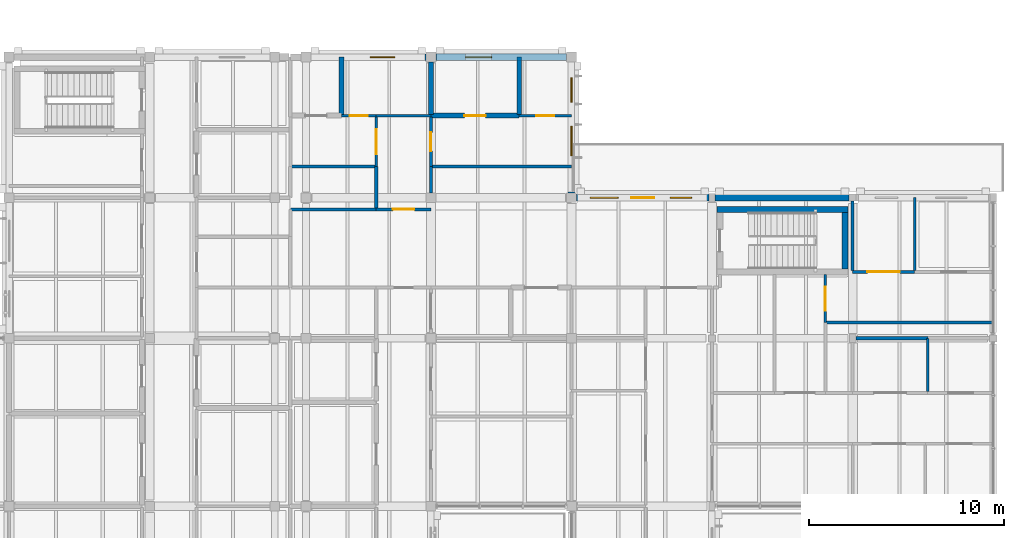
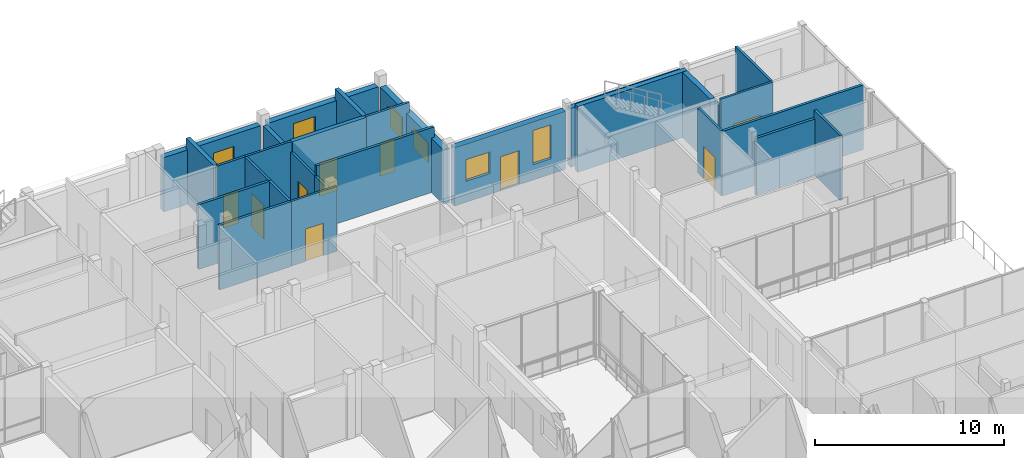
# One storey, part 122 of 146: 29 walls, 9 doors, 6 windows, 15 openings.
"""IFC4 building model written with IfcOpenShell, lengths in metres."""

from ifc_helpers import new_model, si_unit, direction, frame, frame_2d, origin, place, context, subcontext, project, spatial, rectangle, extrude, material, layer, layer_set, type_object, element, fill, save


model = new_model("IFC4")

# Units and contexts
model_context = context("Model", 3, precision=1e-05, world=origin(), true_north=direction((0.0, 1.0)))
body_context = subcontext(model_context, "Body", "Model", "MODEL_VIEW")
ifc_project = project(units=[si_unit("LENGTHUNIT", "METRE"), si_unit("AREAUNIT", "SQUARE_METRE"), si_unit("VOLUMEUNIT", "CUBIC_METRE"), si_unit("PLANEANGLEUNIT", "RADIAN"), si_unit("MASSUNIT", "GRAM", prefix="KILO")], contexts=[model_context])

# Site, building, storey
site_placement = place(None, origin())
site = spatial("IfcSite", under=ifc_project, at=site_placement, CompositionType="ELEMENT")
building_placement = place(site_placement, origin())
building = spatial("IfcBuilding", under=site, at=building_placement, Name="Hawrajan Terrace Health Centre", CompositionType="ELEMENT")
storey_placement = place(building_placement, frame((0.0, 0.0, 4.5)))
storey = spatial("IfcBuildingStorey", under=building, at=storey_placement, Name="L01", CompositionType="ELEMENT", Elevation=4.5)

# Wall, opening, door
ifc_material_1 = material(Name="Gypsum board on acoustic stud framing")
ifc_layer_1 = layer(ifc_material_1, 0.139892578125)
ifc_layer_set_1 = layer_set([ifc_layer_1], Name="Gypsum board on acoustic stud framing")
wall_type_1 = type_object("IfcWallType", Name="ClinicalAcousticWall_140", PredefinedType="PARTITIONING", material=ifc_layer_set_1)
wall_1_placement = place(storey_placement, frame((132.02392578125, 56.800048828125, 0.0), z_axis=(0.0, 0.0, 1.0), x_axis=(1.0, 0.0, 0.0)))
wall_1 = element("IfcWall", 1, at=wall_1_placement, inside=storey, type_object=wall_type_1, Name="Interior wall IW-L01-0756", PredefinedType="PARTITIONING", context=body_context, shape_type="SweptSolid", body=[
    extrude(rectangle(XDim=1.776123046875, YDim=0.139892578125, at=frame_2d((0.88818359375, 0.0))), origin(), (0.0, 0.0, 1.0), 4.179931640625),
])
opening_1_placement = place(wall_1_placement, frame((0.427978515625, 0.0, 0.0)))
opening_1 = element("IfcOpeningElement", 2, at=opening_1_placement, cuts=wall_1, Name="Opening D-L01-402", PredefinedType="OPENING", context=body_context, shape_type="SweptSolid", body=[
    extrude(rectangle(XDim=0.919921875, YDim=2.10009765625, at=frame_2d((0.4599609375, 1.050048828125))), frame((0.0, 0.079833984375, 0.0), z_axis=(0.0, -1.0, 0.0), x_axis=(1.0, 0.0, 0.0)), (0.0, 0.0, 1.0), 0.159912109375),
])
ifc_material_2 = material(Name="Hardwood acoustic clinical door leaf and frame", Category="wood")
door_type_1 = type_object("IfcDoorType", Name="StaffOfficeDoor_920x2100", OperationType="NOTDEFINED", PredefinedType="DOOR", material=ifc_material_2)
door_1_placement = place(opening_1_placement, origin())
door_1 = element("IfcDoor", 3, at=door_1_placement, inside=storey, type_object=door_type_1, Name="Interior door D-L01-402", OperationType="SINGLE_SWING_RIGHT", OverallHeight=2.10009765625, OverallWidth=0.919921875, PredefinedType="DOOR", context=body_context, shape_type="SweptSolid", body=[
    extrude(rectangle(XDim=0.919921875, YDim=2.10009765625, at=frame_2d((0.4599609375, 1.050048828125))), frame((0.0, 0.02490234375, 0.0), z_axis=(0.0, -1.0, 0.0), x_axis=(1.0, 0.0, 0.0)), (0.0, 0.0, 1.0), 0.050048828125),
])
fill(opening_1, door_1)

wall_2_placement = place(storey_placement, frame((133.800048828125, 52.0, 0.0), z_axis=(0.0, 0.0, 1.0), x_axis=(1.0, 0.0, 0.0)))
wall_2 = element("IfcWall", 4, at=wall_2_placement, inside=storey, type_object=wall_type_1, Name="Interior wall IW-L01-0770", PredefinedType="PARTITIONING", context=body_context, shape_type="SweptSolid", body=[
    extrude(rectangle(XDim=2.800048828125, YDim=0.139892578125, at=frame_2d((1.39990234375, 0.0))), origin(), (0.0, 0.0, 1.0), 4.179931640625),
])
opening_2_placement = place(wall_2_placement, frame((0.85009765625, 0.0, 0.0)))
opening_2 = element("IfcOpeningElement", 5, at=opening_2_placement, cuts=wall_2, Name="Opening D-L01-286", PredefinedType="OPENING", context=body_context, shape_type="SweptSolid", body=[
    extrude(rectangle(XDim=1.10009765625, YDim=2.10009765625, at=frame_2d((0.550048828125, 1.050048828125))), frame((0.0, 0.079833984375, 0.0), z_axis=(0.0, -1.0, 0.0), x_axis=(1.0, 0.0, 0.0)), (0.0, 0.0, 1.0), 0.159912109375),
])
door_type_2 = type_object("IfcDoorType", Name="ConsultDoor_1100x2100", OperationType="NOTDEFINED", PredefinedType="DOOR", material=ifc_material_2)
door_2_placement = place(opening_2_placement, origin())
door_2 = element("IfcDoor", 6, at=door_2_placement, inside=storey, type_object=door_type_2, Name="Interior door D-L01-286", OperationType="SINGLE_SWING_RIGHT", OverallHeight=2.10009765625, OverallWidth=1.10009765625, PredefinedType="DOOR", context=body_context, shape_type="SweptSolid", body=[
    extrude(rectangle(XDim=1.10009765625, YDim=2.10009765625, at=frame_2d((0.550048828125, 1.050048828125))), frame((0.0, 0.02490234375, 0.0), z_axis=(0.0, -1.0, 0.0), x_axis=(1.0, 0.0, 0.0)), (0.0, 0.0, 1.0), 0.050048828125),
])
fill(opening_2, door_2)

wall_3_placement = place(storey_placement, frame((133.800048828125, 54.199951171875, 0.0), z_axis=(0.0, 0.0, 1.0), x_axis=(0.0, 1.0, 0.0)))
wall_3 = element("IfcWall", 7, at=wall_3_placement, inside=storey, type_object=wall_type_1, Name="Interior wall IW-L01-0771", PredefinedType="PARTITIONING", context=body_context, shape_type="SweptSolid", body=[
    extrude(rectangle(XDim=2.530029296875, YDim=0.139892578125, at=frame_2d((1.26513671875, 0.0))), origin(), (0.0, 0.0, 1.0), 4.179931640625),
])
opening_3_placement = place(wall_3_placement, frame((0.625, 0.0, 0.0)))
opening_3 = element("IfcOpeningElement", 8, at=opening_3_placement, cuts=wall_3, Name="Opening D-L01-289", PredefinedType="OPENING", context=body_context, shape_type="SweptSolid", body=[
    extrude(rectangle(XDim=1.280029296875, YDim=2.199951171875, at=frame_2d((0.64013671875, 1.10009765625))), frame((0.0, 0.079833984375, 0.0), z_axis=(0.0, -1.0, 0.0), x_axis=(1.0, 0.0, 0.0)), (0.0, 0.0, 1.0), 0.159912109375),
])
door_type_3 = type_object("IfcDoorType", Name="ExamSuiteDoor_1280x2200", OperationType="NOTDEFINED", PredefinedType="DOOR", material=ifc_material_2)
door_3_placement = place(opening_3_placement, origin())
door_3 = element("IfcDoor", 9, at=door_3_placement, inside=storey, type_object=door_type_3, Name="Interior door D-L01-289", OperationType="SINGLE_SWING_LEFT", OverallHeight=2.199951171875, OverallWidth=1.280029296875, PredefinedType="DOOR", context=body_context, shape_type="SweptSolid", body=[
    extrude(rectangle(XDim=1.280029296875, YDim=2.199951171875, at=frame_2d((0.64013671875, 1.10009765625))), frame((0.0, 0.02490234375, 0.0), z_axis=(0.0, -1.0, 0.0), x_axis=(1.0, 0.0, 0.0)), (0.0, 0.0, 1.0), 0.050048828125),
])
fill(opening_3, door_3)

# Wall
wall_4_placement = place(storey_placement, frame((133.800048828125, 56.800048828125, 0.0), z_axis=(0.0, 0.0, 1.0), x_axis=(1.0, 0.0, 0.0)))
element("IfcWall", 10, at=wall_4_placement, inside=storey, type_object=wall_type_1, Name="Interior wall IW-L01-0772", PredefinedType="PARTITIONING", context=body_context, shape_type="SweptSolid", body=[
    extrude(rectangle(XDim=2.800048828125, YDim=0.139892578125, at=frame_2d((1.39990234375, 0.0))), origin(), (0.0, 0.0, 1.0), 4.179931640625),
])

# Wall, opening, door
wall_5_placement = place(storey_placement, frame((136.60009765625, 54.199951171875, 0.0), z_axis=(0.0, 0.0, 1.0), x_axis=(0.0, 1.0, 0.0)))
wall_5 = element("IfcWall", 11, at=wall_5_placement, inside=storey, type_object=wall_type_1, Name="Interior wall IW-L01-0783", PredefinedType="PARTITIONING", context=body_context, shape_type="SweptSolid", body=[
    extrude(rectangle(XDim=2.530029296875, YDim=0.139892578125, at=frame_2d((1.26513671875, 0.0))), origin(), (0.0, 0.0, 1.0), 3.52001953125),
])
opening_4_placement = place(wall_5_placement, frame((0.7900390625, 0.0, 0.0)))
opening_4 = element("IfcOpeningElement", 12, at=opening_4_placement, cuts=wall_5, Name="Opening D-L01-290", PredefinedType="OPENING", context=body_context, shape_type="SweptSolid", body=[
    extrude(rectangle(XDim=0.949951171875, YDim=2.10009765625, at=frame_2d((0.47509765625, 1.050048828125))), frame((0.0, 0.079833984375, 0.0), z_axis=(0.0, -1.0, 0.0), x_axis=(1.0, 0.0, 0.0)), (0.0, 0.0, 1.0), 0.159912109375),
])
door_type_4 = type_object("IfcDoorType", Name="AccessibleWCDoor_950x2100", OperationType="NOTDEFINED", PredefinedType="DOOR", material=ifc_material_2)
door_4_placement = place(opening_4_placement, origin())
door_4 = element("IfcDoor", 13, at=door_4_placement, inside=storey, type_object=door_type_4, Name="Interior door D-L01-290", OperationType="SINGLE_SWING_RIGHT", OverallHeight=2.10009765625, OverallWidth=0.949951171875, PredefinedType="DOOR", context=body_context, shape_type="SweptSolid", body=[
    extrude(rectangle(XDim=0.949951171875, YDim=2.10009765625, at=frame_2d((0.47509765625, 1.050048828125))), frame((0.0, 0.02490234375, 0.0), z_axis=(0.0, -1.0, 0.0), x_axis=(1.0, 0.0, 0.0)), (0.0, 0.0, 1.0), 0.050048828125),
])
fill(opening_4, door_4)

wall_6_placement = place(storey_placement, frame((141.1220703125, 56.800048828125, 0.0), z_axis=(0.0, 0.0, 1.0), x_axis=(1.0, 0.0, 0.0)))
wall_6 = element("IfcWall", 14, at=wall_6_placement, inside=storey, type_object=wall_type_1, Name="Interior wall IW-L01-0793", PredefinedType="PARTITIONING", context=body_context, shape_type="SweptSolid", body=[
    extrude(rectangle(XDim=2.677978515625, YDim=0.139892578125, at=frame_2d((1.3388671875, 0.0))), origin(), (0.0, 0.0, 1.0), 4.179931640625),
])
opening_5_placement = place(wall_6_placement, frame((0.87890625, 0.0, 0.0)))
opening_5 = element("IfcOpeningElement", 15, at=opening_5_placement, cuts=wall_6, Name="Opening D-L01-412", PredefinedType="OPENING", context=body_context, shape_type="SweptSolid", body=[
    extrude(rectangle(XDim=0.919921875, YDim=2.10009765625, at=frame_2d((0.4599609375, 1.050048828125))), frame((0.0, 0.079833984375, 0.0), z_axis=(0.0, -1.0, 0.0), x_axis=(1.0, 0.0, 0.0)), (0.0, 0.0, 1.0), 0.159912109375),
])
door_5_placement = place(opening_5_placement, origin())
door_5 = element("IfcDoor", 16, at=door_5_placement, inside=storey, type_object=door_type_1, Name="Interior door D-L01-412", OperationType="SINGLE_SWING_RIGHT", OverallHeight=2.10009765625, OverallWidth=0.919921875, PredefinedType="DOOR", context=body_context, shape_type="SweptSolid", body=[
    extrude(rectangle(XDim=0.919921875, YDim=2.10009765625, at=frame_2d((0.4599609375, 1.050048828125))), frame((0.0, 0.02490234375, 0.0), z_axis=(0.0, -1.0, 0.0), x_axis=(1.0, 0.0, 0.0)), (0.0, 0.0, 1.0), 0.050048828125),
])
fill(opening_5, door_5)

wall_7_placement = place(storey_placement, frame((156.800048828125, 46.199951171875, 0.0), z_axis=(0.0, 0.0, 1.0), x_axis=(0.0, 1.0, 0.0)))
wall_7 = element("IfcWall", 17, at=wall_7_placement, inside=storey, type_object=wall_type_1, Name="Interior wall IW-L01-0824", PredefinedType="PARTITIONING", context=body_context, shape_type="SweptSolid", body=[
    extrude(rectangle(XDim=2.4599609375, YDim=0.139892578125, at=frame_2d((1.22998046875, 0.0))), origin(), (0.0, 0.0, 1.0), 4.179931640625),
])
opening_6_placement = place(wall_7_placement, frame((0.6201171875, 0.0, 0.0)))
opening_6 = element("IfcOpeningElement", 18, at=opening_6_placement, cuts=wall_7, Name="Opening D-L01-284", PredefinedType="OPENING", context=body_context, shape_type="SweptSolid", body=[
    extrude(rectangle(XDim=1.219970703125, YDim=2.10009765625, at=frame_2d((0.60986328125, 1.050048828125))), frame((0.0, 0.079833984375, 0.0), z_axis=(0.0, -1.0, 0.0), x_axis=(1.0, 0.0, 0.0)), (0.0, 0.0, 1.0), 0.159912109375),
])
door_type_5 = type_object("IfcDoorType", Name="ConsultDoor_1220x2100", OperationType="NOTDEFINED", PredefinedType="DOOR", material=ifc_material_2)
door_6_placement = place(opening_6_placement, origin())
door_6 = element("IfcDoor", 19, at=door_6_placement, inside=storey, type_object=door_type_5, Name="Interior door D-L01-284", OperationType="SINGLE_SWING_RIGHT", OverallHeight=2.10009765625, OverallWidth=1.219970703125, PredefinedType="DOOR", context=body_context, shape_type="SweptSolid", body=[
    extrude(rectangle(XDim=1.219970703125, YDim=2.10009765625, at=frame_2d((0.60986328125, 1.050048828125))), frame((0.0, 0.02490234375, 0.0), z_axis=(0.0, -1.0, 0.0), x_axis=(1.0, 0.0, 0.0)), (0.0, 0.0, 1.0), 0.050048828125),
])
fill(opening_6, door_6)

wall_8_placement = place(storey_placement, frame((158.199951171875, 48.800048828125, 0.0), z_axis=(0.0, 0.0, 1.0), x_axis=(1.0, 0.0, 0.0)))
wall_8 = element("IfcWall", 20, at=wall_8_placement, inside=storey, type_object=wall_type_1, Name="Interior wall IW-L01-0832", PredefinedType="PARTITIONING", context=body_context, shape_type="SweptSolid", body=[
    extrude(rectangle(XDim=3.175048828125, YDim=0.139892578125, at=frame_2d((1.58740234375, 0.0))), origin(), (0.0, 0.0, 1.0), 4.179931640625),
])
opening_7_placement = place(wall_8_placement, frame((0.757568359375, 0.0, 0.0)))
opening_7 = element("IfcOpeningElement", 21, at=opening_7_placement, cuts=wall_8, Name="Opening D-L01-428", PredefinedType="OPENING", context=body_context, shape_type="SweptSolid", body=[
    extrude(rectangle(XDim=1.659912109375, YDim=2.300048828125, at=frame_2d((0.830078125, 1.14990234375))), frame((0.0, 0.079833984375, 0.0), z_axis=(0.0, -1.0, 0.0), x_axis=(1.0, 0.0, 0.0)), (0.0, 0.0, 1.0), 0.159912109375),
])
door_type_6 = type_object("IfcDoorType", Name="RehabGymDoor_1660x2300", OperationType="DOUBLE_DOOR_SINGLE_SWING", PredefinedType="DOOR", material=ifc_material_2)
door_7_placement = place(opening_7_placement, origin())
door_7 = element("IfcDoor", 22, at=door_7_placement, inside=storey, type_object=door_type_6, Name="Interior door D-L01-428", OperationType="DOUBLE_DOOR_SINGLE_SWING", OverallHeight=2.300048828125, OverallWidth=1.659912109375, PredefinedType="DOOR", context=body_context, shape_type="SweptSolid", body=[
    extrude(rectangle(XDim=1.659912109375, YDim=2.300048828125, at=frame_2d((0.830078125, 1.14990234375))), frame((0.0, 0.02490234375, 0.0), z_axis=(0.0, -1.0, 0.0), x_axis=(1.0, 0.0, 0.0)), (0.0, 0.0, 1.0), 0.050048828125),
])
fill(opening_7, door_7)

# Walls
wall_9_placement = place(storey_placement, frame((161.375, 48.8701171875, 0.0), z_axis=(0.0, 0.0, 1.0), x_axis=(0.0, 1.0, 0.0)))
element("IfcWall", 23, at=wall_9_placement, inside=storey, type_object=wall_type_1, Name="Interior wall IW-L01-0835", PredefinedType="PARTITIONING", context=body_context, shape_type="SweptSolid", body=[
    extrude(rectangle(XDim=3.72998046875, YDim=0.139892578125, at=frame_2d((1.864990234375, 0.0))), origin(), (0.0, 0.0, 1.0), 4.179931640625),
])
wall_10_placement = place(storey_placement, frame((162.044921875, 42.669921875, 0.0), z_axis=(0.0, 0.0, 1.0), x_axis=(0.0, 1.0, 0.0)))
element("IfcWall", 24, at=wall_10_placement, inside=storey, type_object=wall_type_1, Name="Interior wall IW-L01-0839", PredefinedType="PARTITIONING", context=body_context, shape_type="SweptSolid", body=[
    extrude(rectangle(XDim=2.72998046875, YDim=0.139892578125, at=frame_2d((1.364990234375, 0.0))), origin(), (0.0, 0.0, 1.0), 4.179931640625),
])

# Wall, opening, window
ifc_material_3 = material(Name="Precast concrete C40/50", Category="concrete")
ifc_layer_2 = layer(ifc_material_3, 0.340087890625)
ifc_layer_set_2 = layer_set([ifc_layer_2], Name="Precast concrete C40/50")
wall_type_2 = type_object("IfcWallType", Name="CoralAshlarWall_340", PredefinedType="SOLIDWALL", material=ifc_layer_set_2)
wall_11_placement = place(storey_placement, frame((130.449951171875, 59.800048828125, 0.0), z_axis=(0.0, 0.0, 1.0), x_axis=(1.0, 0.0, 0.0)))
wall_11 = element("IfcWall", 25, at=wall_11_placement, inside=storey, type_object=wall_type_2, Name="Exterior wall EW-L01-H16-07-2", PredefinedType="SOLIDWALL", context=body_context, shape_type="SweptSolid", body=[
    extrude(rectangle(XDim=5.900146484375, YDim=0.340087890625, at=frame_2d((2.9501953125, 0.0))), origin(), (0.0, 0.0, 1.0), 3.52001953125),
])
opening_8_placement = place(wall_11_placement, frame((3.052001953125, 0.0, 1.35009765625)))
opening_8 = element("IfcOpeningElement", 26, at=opening_8_placement, cuts=wall_11, Name="Opening W-L01-094", PredefinedType="OPENING", context=body_context, shape_type="SweptSolid", body=[
    extrude(rectangle(XDim=1.25, YDim=1.39990234375, at=frame_2d((0.625, 0.699951171875))), frame((0.0, 0.179931640625, 0.0), z_axis=(0.0, -1.0, 0.0), x_axis=(1.0, 0.0, 0.0)), (0.0, 0.0, 1.0), 0.360107421875),
])
ifc_material_4 = material(Name="Anodized bronze frame with double low-E glazing", Category="glass")
window_type_1 = type_object("IfcWindowType", Name="FacadeWindow_1250x1400", PartitioningType="SINGLE_PANEL", PredefinedType="WINDOW", material=ifc_material_4)
window_1_placement = place(opening_8_placement, origin())
window_1 = element("IfcWindow", 27, at=window_1_placement, inside=storey, type_object=window_type_1, Name="Window W-L01-094", OverallHeight=1.39990234375, OverallWidth=1.25, PartitioningType="SINGLE_PANEL", PredefinedType="WINDOW", context=body_context, shape_type="SweptSolid", body=[
    extrude(rectangle(XDim=1.25, YDim=1.39990234375, at=frame_2d((0.625, 0.699951171875))), frame((0.0, 0.030029296875, 0.0), z_axis=(0.0, -1.0, 0.0), x_axis=(1.0, 0.0, 0.0)), (0.0, 0.0, 1.0), 0.06005859375),
])
fill(opening_8, window_1)

# Wall
wall_12_placement = place(storey_placement, frame((151.159912109375, 52.60009765625, 0.0), z_axis=(0.0, 0.0, 1.0), x_axis=(1.0, 0.0, 0.0)))
element("IfcWall", 28, at=wall_12_placement, inside=storey, type_object=wall_type_2, Name="Exterior wall EW-L01-H19-06-1", PredefinedType="SOLIDWALL", context=body_context, shape_type="SweptSolid", body=[
    extrude(rectangle(XDim=6.860107421875, YDim=0.340087890625, at=frame_2d((3.43017578125, 0.0))), origin(), (0.0, 0.0, 1.0), 3.800048828125),
])

# Wall, opening, window
ifc_layer_3 = layer(ifc_material_3, 0.360107421875)
ifc_layer_set_3 = layer_set([ifc_layer_3], Name="Precast concrete C40/50")
wall_type_3 = type_object("IfcWallType", Name="CoralPodiumWall_360", PredefinedType="SOLIDWALL", material=ifc_layer_set_3)
wall_13_placement = place(storey_placement, frame((136.85009765625, 59.800048828125, 0.0), z_axis=(0.0, 0.0, 1.0), x_axis=(1.0, 0.0, 0.0)))
wall_13 = element("IfcWall", 29, at=wall_13_placement, inside=storey, type_object=wall_type_3, Name="Exterior wall EW-L01-H17-07-1", PredefinedType="SOLIDWALL", context=body_context, shape_type="SweptSolid", body=[
    extrude(rectangle(XDim=6.699951171875, YDim=0.360107421875, at=frame_2d((3.35009765625, 0.0))), origin(), (0.0, 0.0, 1.0), 3.52001953125),
])
opening_9_placement = place(wall_13_placement, frame((1.52587890625, 0.0, 1.0)))
opening_9 = element("IfcOpeningElement", 30, at=opening_9_placement, cuts=wall_13, Name="Opening W-L01-099", PredefinedType="OPENING", context=body_context, shape_type="SweptSolid", body=[
    extrude(rectangle(XDim=1.340087890625, YDim=1.949951171875, at=frame_2d((0.669921875, 0.97509765625))), frame((0.0, 0.18994140625, 0.0), z_axis=(0.0, -1.0, 0.0), x_axis=(1.0, 0.0, 0.0)), (0.0, 0.0, 1.0), 0.380126953125),
])
window_type_2 = type_object("IfcWindowType", Name="FacadeWindow_1340x1950", PartitioningType="SINGLE_PANEL", PredefinedType="WINDOW", material=ifc_material_4)
window_2_placement = place(opening_9_placement, origin())
window_2 = element("IfcWindow", 31, at=window_2_placement, inside=storey, type_object=window_type_2, Name="Window W-L01-099", OverallHeight=1.949951171875, OverallWidth=1.340087890625, PartitioningType="SINGLE_PANEL", PredefinedType="WINDOW", context=body_context, shape_type="SweptSolid", body=[
    extrude(rectangle(XDim=1.340087890625, YDim=1.949951171875, at=frame_2d((0.669921875, 0.97509765625))), frame((0.0, 0.030029296875, 0.0), z_axis=(0.0, -1.0, 0.0), x_axis=(1.0, 0.0, 0.0)), (0.0, 0.0, 1.0), 0.06005859375),
])
fill(opening_9, window_2)

# Wall, openings, windows
wall_14_placement = place(storey_placement, frame((143.800048828125, 52.85009765625, 0.0), z_axis=(0.0, 0.0, 1.0), x_axis=(0.0, 1.0, 0.0)))
wall_14 = element("IfcWall", 32, at=wall_14_placement, inside=storey, type_object=wall_type_3, Name="Exterior wall EW-L01-V18-06-1", PredefinedType="SOLIDWALL", context=body_context, shape_type="SweptSolid", body=[
    extrude(rectangle(XDim=6.699951171875, YDim=0.360107421875, at=frame_2d((3.35009765625, 0.0))), origin(), (0.0, 0.0, 1.0), 3.52001953125),
])
opening_10_placement = place(wall_14_placement, frame((1.89990234375, 0.0, 1.5)))
opening_10 = element("IfcOpeningElement", 33, at=opening_10_placement, cuts=wall_14, Name="Opening W-L01-100", PredefinedType="OPENING", context=body_context, shape_type="SweptSolid", body=[
    extrude(rectangle(XDim=1.5, YDim=1.25, at=frame_2d((0.75, 0.625))), frame((0.0, 0.18994140625, 0.0), z_axis=(0.0, -1.0, 0.0), x_axis=(1.0, 0.0, 0.0)), (0.0, 0.0, 1.0), 0.380126953125),
])
opening_11_placement = place(wall_14_placement, frame((4.639892578125, 0.0, 1.35009765625)))
opening_11 = element("IfcOpeningElement", 34, at=opening_11_placement, cuts=wall_14, Name="Opening W-L01-101", PredefinedType="OPENING", context=body_context, shape_type="SweptSolid", body=[
    extrude(rectangle(XDim=1.25, YDim=1.39990234375, at=frame_2d((0.625, 0.699951171875))), frame((0.0, 0.18994140625, 0.0), z_axis=(0.0, -1.0, 0.0), x_axis=(1.0, 0.0, 0.0)), (0.0, 0.0, 1.0), 0.380126953125),
])
window_3_placement = place(opening_11_placement, origin())
window_3 = element("IfcWindow", 35, at=window_3_placement, inside=storey, type_object=window_type_1, Name="Window W-L01-101", OverallHeight=1.39990234375, OverallWidth=1.25, PartitioningType="SINGLE_PANEL", PredefinedType="WINDOW", context=body_context, shape_type="SweptSolid", body=[
    extrude(rectangle(XDim=1.25, YDim=1.39990234375, at=frame_2d((0.625, 0.699951171875))), frame((0.0, 0.030029296875, 0.0), z_axis=(0.0, -1.0, 0.0), x_axis=(1.0, 0.0, 0.0)), (0.0, 0.0, 1.0), 0.06005859375),
])
fill(opening_11, window_3)
window_type_3 = type_object("IfcWindowType", Name="FacadeWindow_1500x1250", PartitioningType="DOUBLE_PANEL_VERTICAL", PredefinedType="WINDOW", material=ifc_material_4)
window_4_placement = place(opening_10_placement, origin())
window_4 = element("IfcWindow", 36, at=window_4_placement, inside=storey, type_object=window_type_3, Name="Window W-L01-100", OverallHeight=1.25, OverallWidth=1.5, PartitioningType="DOUBLE_PANEL_VERTICAL", PredefinedType="WINDOW", context=body_context, shape_type="SweptSolid", body=[
    extrude(rectangle(XDim=1.5, YDim=1.25, at=frame_2d((0.75, 0.625))), frame((0.0, 0.030029296875, 0.0), z_axis=(0.0, -1.0, 0.0), x_axis=(1.0, 0.0, 0.0)), (0.0, 0.0, 1.0), 0.06005859375),
])
fill(opening_10, window_4)

# Wall, openings, windows, door
wall_15_placement = place(storey_placement, frame((144.050048828125, 52.60009765625, 0.0), z_axis=(0.0, 0.0, 1.0), x_axis=(1.0, 0.0, 0.0)))
wall_15 = element("IfcWall", 37, at=wall_15_placement, inside=storey, type_object=wall_type_3, Name="Exterior wall EW-L01-H18-06-1", PredefinedType="SOLIDWALL", context=body_context, shape_type="SweptSolid", body=[
    extrude(rectangle(XDim=6.7900390625, YDim=0.360107421875, at=frame_2d((3.39501953125, 0.0))), origin(), (0.0, 0.0, 1.0), 3.760009765625),
])
opening_12_placement = place(wall_15_placement, frame((2.804931640625, 0.0, 0.0)))
opening_12 = element("IfcOpeningElement", 38, at=opening_12_placement, cuts=wall_15, Name="Opening D-L01-E018", PredefinedType="OPENING", context=body_context, shape_type="SweptSolid", body=[
    extrude(rectangle(XDim=1.179931640625, YDim=2.199951171875, at=frame_2d((0.58984375, 1.10009765625))), frame((0.0, 0.18994140625, 0.0), z_axis=(0.0, -1.0, 0.0), x_axis=(1.0, 0.0, 0.0)), (0.0, 0.0, 1.0), 0.380126953125),
])
opening_13_placement = place(wall_15_placement, frame((0.70751953125, 0.0, 1.35009765625)))
opening_13 = element("IfcOpeningElement", 39, at=opening_13_placement, cuts=wall_15, Name="Opening W-L01-105", PredefinedType="OPENING", context=body_context, shape_type="SweptSolid", body=[
    extrude(rectangle(XDim=1.449951171875, YDim=1.39990234375, at=frame_2d((0.72509765625, 0.699951171875))), frame((0.0, 0.18994140625, 0.0), z_axis=(0.0, -1.0, 0.0), x_axis=(1.0, 0.0, 0.0)), (0.0, 0.0, 1.0), 0.380126953125),
])
opening_14_placement = place(wall_15_placement, frame((4.8076171875, 0.0, 1.0)))
opening_14 = element("IfcOpeningElement", 40, at=opening_14_placement, cuts=wall_15, Name="Opening W-L01-106", PredefinedType="OPENING", context=body_context, shape_type="SweptSolid", body=[
    extrude(rectangle(XDim=1.10009765625, YDim=2.199951171875, at=frame_2d((0.550048828125, 1.10009765625))), frame((0.0, 0.18994140625, 0.0), z_axis=(0.0, -1.0, 0.0), x_axis=(1.0, 0.0, 0.0)), (0.0, 0.0, 1.0), 0.380126953125),
])
window_type_4 = type_object("IfcWindowType", Name="FacadeWindow_1100x2200", PartitioningType="SINGLE_PANEL", PredefinedType="WINDOW", material=ifc_material_4)
window_5_placement = place(opening_14_placement, origin())
window_5 = element("IfcWindow", 41, at=window_5_placement, inside=storey, type_object=window_type_4, Name="Window W-L01-106", OverallHeight=2.199951171875, OverallWidth=1.10009765625, PartitioningType="SINGLE_PANEL", PredefinedType="WINDOW", context=body_context, shape_type="SweptSolid", body=[
    extrude(rectangle(XDim=1.10009765625, YDim=2.199951171875, at=frame_2d((0.550048828125, 1.10009765625))), frame((0.0, 0.030029296875, 0.0), z_axis=(0.0, -1.0, 0.0), x_axis=(1.0, 0.0, 0.0)), (0.0, 0.0, 1.0), 0.06005859375),
])
fill(opening_14, window_5)
window_type_5 = type_object("IfcWindowType", Name="FacadeWindow_1450x1400", PartitioningType="SINGLE_PANEL", PredefinedType="WINDOW", material=ifc_material_4)
window_6_placement = place(opening_13_placement, origin())
window_6 = element("IfcWindow", 42, at=window_6_placement, inside=storey, type_object=window_type_5, Name="Window W-L01-105", OverallHeight=1.39990234375, OverallWidth=1.449951171875, PartitioningType="SINGLE_PANEL", PredefinedType="WINDOW", context=body_context, shape_type="SweptSolid", body=[
    extrude(rectangle(XDim=1.449951171875, YDim=1.39990234375, at=frame_2d((0.72509765625, 0.699951171875))), frame((0.0, 0.030029296875, 0.0), z_axis=(0.0, -1.0, 0.0), x_axis=(1.0, 0.0, 0.0)), (0.0, 0.0, 1.0), 0.06005859375),
])
fill(opening_13, window_6)
ifc_material_5 = material(Name="Anodized bronze thermally broken fire-rated glazed door")
door_type_7 = type_object("IfcDoorType", Name="GardenExitDoor_1180x2200", OperationType="NOTDEFINED", PredefinedType="DOOR", material=ifc_material_5)
door_8_placement = place(opening_12_placement, origin())
door_8 = element("IfcDoor", 43, at=door_8_placement, inside=storey, type_object=door_type_7, Name="Pavilion North Garden Exit Door D-L01-E018", OperationType="SINGLE_SWING_RIGHT", OverallHeight=2.199951171875, OverallWidth=1.179931640625, PredefinedType="DOOR", context=body_context, shape_type="SweptSolid", body=[
    extrude(rectangle(XDim=1.179931640625, YDim=2.199951171875, at=frame_2d((0.58984375, 1.10009765625))), frame((0.0, 0.02490234375, 0.0), z_axis=(0.0, -1.0, 0.0), x_axis=(1.0, 0.0, 0.0)), (0.0, 0.0, 1.0), 0.050048828125),
])
fill(opening_12, door_8)

# Walls
ifc_material_6 = material(Name="Concrete C40/50", Category="concrete")
ifc_layer_4 = layer(ifc_material_6, 0.300048828125)
ifc_layer_set_4 = layer_set([ifc_layer_4], Name="Concrete C40/50")
wall_type_4 = type_object("IfcWallType", Name="CoreShearWall_RC300", PredefinedType="SHEAR", material=ifc_layer_set_4)
wall_16_placement = place(storey_placement, frame((151.25, 52.0, 0.0), z_axis=(0.0, 0.0, 1.0), x_axis=(1.0, 0.0, 0.0)))
element("IfcWall", 44, at=wall_16_placement, inside=storey, type_object=wall_type_4, Name="Core shear wall SW-S9-L01-N", PredefinedType="SHEAR", context=body_context, shape_type="SweptSolid", body=[
    extrude(rectangle(XDim=6.699951171875, YDim=0.300048828125, at=frame_2d((3.35009765625, 0.0))), origin(), (0.0, 0.0, 1.0), 4.25),
])
wall_17_placement = place(storey_placement, frame((157.800048828125, 48.949951171875, 0.0), z_axis=(0.0, 0.0, 1.0), x_axis=(0.0, 1.0, 0.0)))
element("IfcWall", 45, at=wall_17_placement, inside=storey, type_object=wall_type_4, Name="Core shear wall SW-S9-L01-E", PredefinedType="SHEAR", context=body_context, shape_type="SweptSolid", body=[
    extrude(rectangle(XDim=2.900146484375, YDim=0.300048828125, at=frame_2d((1.4501953125, 0.0))), origin(), (0.0, 0.0, 1.0), 4.25),
])
ifc_layer_5 = layer(ifc_material_1, 0.159912109375)
ifc_layer_set_5 = layer_set([ifc_layer_5], Name="Gypsum board on acoustic stud framing")
wall_type_5 = type_object("IfcWallType", Name="CorridorFireWall_160", PredefinedType="PARTITIONING", material=ifc_layer_set_5)
wall_18_placement = place(storey_placement, frame((156.800048828125, 46.199951171875, 0.0), z_axis=(0.0, 0.0, 1.0), x_axis=(1.0, 0.0, 0.0)))
element("IfcWall", 46, at=wall_18_placement, inside=storey, type_object=wall_type_5, Name="Interior wall IW-L01-0896", PredefinedType="PARTITIONING", context=body_context, shape_type="SweptSolid", body=[
    extrude(rectangle(XDim=8.599853515625, YDim=0.159912109375, at=frame_2d((4.2998046875, 0.0))), origin(), (0.0, 0.0, 1.0), 4.179931640625),
])
wall_19_placement = place(storey_placement, frame((133.800048828125, 52.0, 0.0), z_axis=(0.0, 0.0, 1.0), x_axis=(-1.0, 0.0, 0.0)))
element("IfcWall", 47, at=wall_19_placement, inside=storey, type_object=wall_type_5, Name="Interior wall IW-L01-0904", PredefinedType="PARTITIONING", context=body_context, shape_type="SweptSolid", body=[
    extrude(rectangle(XDim=4.39501953125, YDim=0.159912109375, at=frame_2d((2.197509765625, 0.0))), origin(), (0.0, 0.0, 1.0), 4.179931640625),
])
wall_20_placement = place(storey_placement, frame((136.60009765625, 52.85009765625, 0.0), z_axis=(0.0, 0.0, 1.0), x_axis=(0.0, 1.0, 0.0)))
element("IfcWall", 48, at=wall_20_placement, inside=storey, type_object=wall_type_5, Name="Interior wall IW-L01-0912", PredefinedType="PARTITIONING", context=body_context, shape_type="SweptSolid", body=[
    extrude(rectangle(XDim=1.349853515625, YDim=0.159912109375, at=frame_2d((0.6748046875, 0.0))), origin(), (0.0, 0.0, 1.0), 3.52001953125),
])
wall_21_placement = place(storey_placement, frame((133.800048828125, 52.070068359375, 0.0), z_axis=(0.0, 0.0, 1.0), x_axis=(0.0, 1.0, 0.0)))
element("IfcWall", 49, at=wall_21_placement, inside=storey, type_object=wall_type_5, Name="Interior wall IW-L01-0913", PredefinedType="PARTITIONING", context=body_context, shape_type="SweptSolid", body=[
    extrude(rectangle(XDim=2.1298828125, YDim=0.159912109375, at=frame_2d((1.06494140625, 0.0))), origin(), (0.0, 0.0, 1.0), 4.179931640625),
])
wall_22_placement = place(storey_placement, frame((129.405029296875, 54.199951171875, 0.0), z_axis=(0.0, 0.0, 1.0), x_axis=(1.0, 0.0, 0.0)))
element("IfcWall", 50, at=wall_22_placement, inside=storey, type_object=wall_type_5, Name="Interior wall IW-L01-0917", PredefinedType="PARTITIONING", context=body_context, shape_type="SweptSolid", body=[
    extrude(rectangle(XDim=4.39501953125, YDim=0.159912109375, at=frame_2d((2.197509765625, 0.0))), origin(), (0.0, 0.0, 1.0), 4.179931640625),
])
wall_23_placement = place(storey_placement, frame((136.60009765625, 54.199951171875, 0.0), z_axis=(0.0, 0.0, 1.0), x_axis=(1.0, 0.0, 0.0)))
element("IfcWall", 51, at=wall_23_placement, inside=storey, type_object=wall_type_5, Name="Interior wall IW-L01-0919", PredefinedType="PARTITIONING", context=body_context, shape_type="SweptSolid", body=[
    extrude(rectangle(XDim=7.199951171875, YDim=0.159912109375, at=frame_2d((3.60009765625, 0.0))), origin(), (0.0, 0.0, 1.0), 4.179931640625),
])
wall_24_placement = place(storey_placement, frame((162.044921875, 45.39990234375, 0.0), z_axis=(0.0, 0.0, 1.0), x_axis=(-1.0, 0.0, 0.0)))
element("IfcWall", 52, at=wall_24_placement, inside=storey, type_object=wall_type_5, Name="Interior wall IW-L01-0975", PredefinedType="PARTITIONING", context=body_context, shape_type="SweptSolid", body=[
    extrude(rectangle(XDim=3.684814453125, YDim=0.159912109375, at=frame_2d((1.84228515625, 0.0))), origin(), (0.0, 0.0, 1.0), 3.659912109375),
])
wall_25_placement = place(storey_placement, frame((158.199951171875, 48.8701171875, 0.0), z_axis=(0.0, 0.0, 1.0), x_axis=(0.0, 1.0, 0.0)))
element("IfcWall", 53, at=wall_25_placement, inside=storey, type_object=wall_type_5, Name="Interior wall IW-L01-0978", PredefinedType="PARTITIONING", context=body_context, shape_type="SweptSolid", body=[
    extrude(rectangle(XDim=3.5498046875, YDim=0.159912109375, at=frame_2d((1.77490234375, 0.0))), origin(), (0.0, 0.0, 1.0), 3.739990234375),
])
ifc_layer_6 = layer(ifc_material_6, 0.25)
ifc_layer_set_6 = layer_set([ifc_layer_6], Name="Concrete C40/50")
wall_type_6 = type_object("IfcWallType", Name="RadiationShieldWall_RC250", PredefinedType="SOLIDWALL", material=ifc_layer_set_6)
wall_26_placement = place(storey_placement, frame((132.02392578125, 56.8701171875, 0.0), z_axis=(0.0, 0.0, 1.0), x_axis=(0.0, 1.0, 0.0)))
element("IfcWall", 54, at=wall_26_placement, inside=storey, type_object=wall_type_6, Name="Interior wall IW-L01-0755", PredefinedType="SOLIDWALL", context=body_context, shape_type="SweptSolid", body=[
    extrude(rectangle(XDim=2.929931640625, YDim=0.25, at=frame_2d((1.46484375, 0.0))), origin(), (0.0, 0.0, 1.0), 4.179931640625),
])
wall_27_placement = place(storey_placement, frame((136.60009765625, 56.8701171875, 0.0), z_axis=(0.0, 0.0, 1.0), x_axis=(0.0, 1.0, 0.0)))
element("IfcWall", 55, at=wall_27_placement, inside=storey, type_object=wall_type_6, Name="Interior wall IW-L01-0784", PredefinedType="SOLIDWALL", context=body_context, shape_type="SweptSolid", body=[
    extrude(rectangle(XDim=2.679931640625, YDim=0.25, at=frame_2d((1.33984375, 0.0))), origin(), (0.0, 0.0, 1.0), 3.52001953125),
])

# Wall, opening, door
wall_28_placement = place(storey_placement, frame((136.60009765625, 56.800048828125, 0.0), z_axis=(0.0, 0.0, 1.0), x_axis=(1.0, 0.0, 0.0)))
wall_28 = element("IfcWall", 56, at=wall_28_placement, inside=storey, type_object=wall_type_6, Name="Interior wall IW-L01-0785", PredefinedType="SOLIDWALL", context=body_context, shape_type="SweptSolid", body=[
    extrude(rectangle(XDim=4.52197265625, YDim=0.25, at=frame_2d((2.260986328125, 0.0))), origin(), (0.0, 0.0, 1.0), 4.179931640625),
])
opening_15_placement = place(wall_28_placement, frame((1.720947265625, 0.0, 0.0)))
opening_15 = element("IfcOpeningElement", 57, at=opening_15_placement, cuts=wall_28, Name="Opening D-L01-411", PredefinedType="OPENING", context=body_context, shape_type="SweptSolid", body=[
    extrude(rectangle(XDim=1.080078125, YDim=2.14990234375, at=frame_2d((0.5400390625, 1.074951171875))), frame((0.0, 0.135009765625, 0.0), z_axis=(0.0, -1.0, 0.0), x_axis=(1.0, 0.0, 0.0)), (0.0, 0.0, 1.0), 0.27001953125),
])
ifc_material_7 = material(Name="Timber-veneered acoustic fire-resisting door assembly", Category="wood")
door_type_8 = type_object("IfcDoorType", Name="ClinicalFireDoor_1080x2150", OperationType="NOTDEFINED", PredefinedType="DOOR", material=ifc_material_7)
door_9_placement = place(opening_15_placement, origin())
door_9 = element("IfcDoor", 58, at=door_9_placement, inside=storey, type_object=door_type_8, Name="Interior door D-L01-411", OperationType="SINGLE_SWING_LEFT", OverallHeight=2.14990234375, OverallWidth=1.080078125, PredefinedType="DOOR", context=body_context, shape_type="SweptSolid", body=[
    extrude(rectangle(XDim=1.080078125, YDim=2.14990234375, at=frame_2d((0.5400390625, 1.074951171875))), frame((0.0, 0.02490234375, 0.0), z_axis=(0.0, -1.0, 0.0), x_axis=(1.0, 0.0, 0.0)), (0.0, 0.0, 1.0), 0.050048828125),
])
fill(opening_15, door_9)

# Wall
wall_29_placement = place(storey_placement, frame((141.1220703125, 56.8701171875, 0.0), z_axis=(0.0, 0.0, 1.0), x_axis=(0.0, 1.0, 0.0)))
element("IfcWall", 59, at=wall_29_placement, inside=storey, type_object=wall_type_6, Name="Interior wall IW-L01-0792", PredefinedType="SOLIDWALL", context=body_context, shape_type="SweptSolid", body=[
    extrude(rectangle(XDim=2.929931640625, YDim=0.25, at=frame_2d((1.46484375, 0.0))), origin(), (0.0, 0.0, 1.0), 4.179931640625),
])

save(model, "model.ifc")
